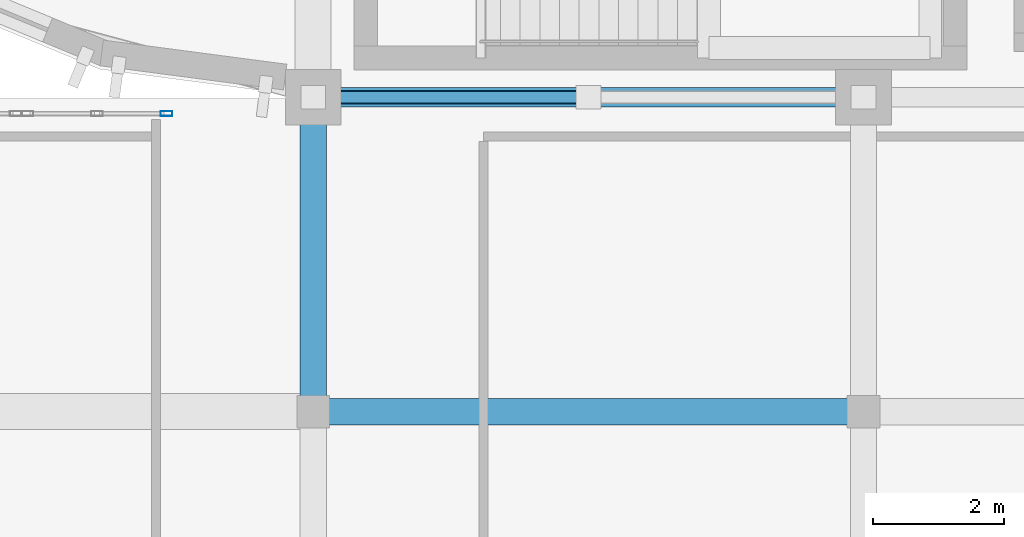
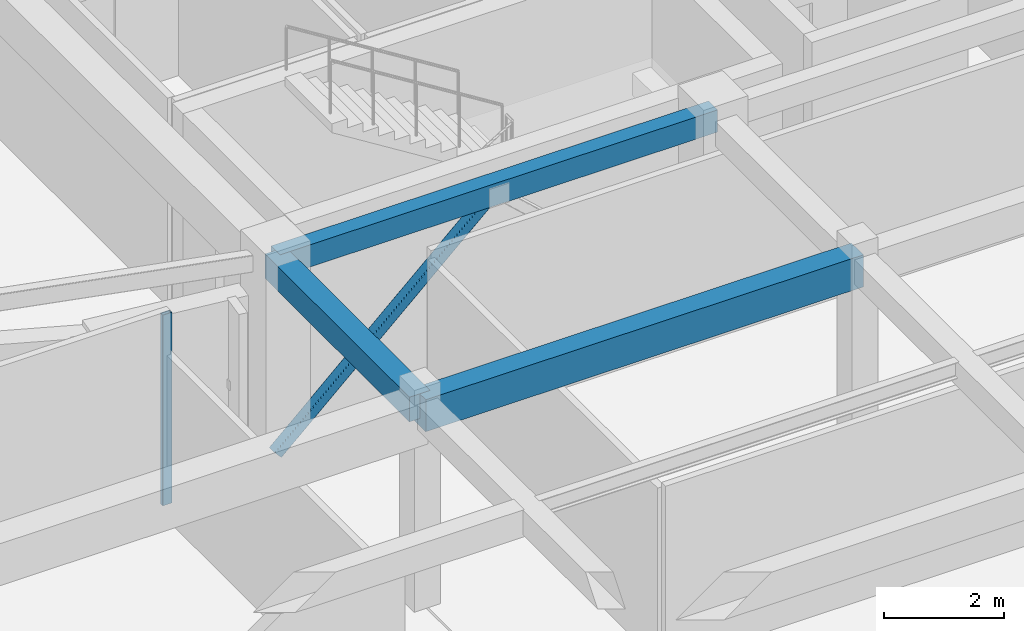
# One storey, part 30 of 92: 3 beams, 2 members, 1 element without a shape of its own.
"""IFC4 building model written with IfcOpenShell, lengths in metres."""

from ifc_helpers import new_model, si_unit, direction, frame, origin, origin_2d, place, context, subcontext, project, spatial, rectangle, hollow_rectangle, extrude, material, layer, layer_set, material_profile, profile_set, type_object, element, aggregate, save


model = new_model("IFC4")

# Units and contexts
model_context = context("Model", 3, precision=1e-05, world=origin(), true_north=direction((0.0, 1.0)))
body_context = subcontext(model_context, "Body", "Model", "MODEL_VIEW")
ifc_project = project(units=[si_unit("LENGTHUNIT", "METRE"), si_unit("AREAUNIT", "SQUARE_METRE"), si_unit("VOLUMEUNIT", "CUBIC_METRE"), si_unit("PLANEANGLEUNIT", "RADIAN"), si_unit("MASSUNIT", "GRAM", prefix="KILO")], contexts=[model_context])

# Site, building, storey
site_placement = place(None, origin())
site = spatial("IfcSite", under=ifc_project, at=site_placement, CompositionType="ELEMENT")
building_placement = place(site_placement, origin())
building = spatial("IfcBuilding", under=site, at=building_placement, Name="Tarnavel Promenade Courthouse", CompositionType="ELEMENT")
storey_placement = place(building_placement, frame((0.0, 0.0, 5.39990234375)))
storey = spatial("IfcBuildingStorey", under=building, at=storey_placement, Name="L02", CompositionType="ELEMENT", Elevation=5.39990234375)

# Beams
ifc_material_1 = material(Name="Concrete C40/50", Category="concrete")
ifc_material_profile_1 = material_profile(ifc_material_1, rectangle(XDim=0.39990234375, YDim=0.5, at=origin_2d()), Name="RC 400x500")
ifc_profile_set_1 = profile_set([ifc_material_profile_1], Name="Concrete C40/50")
beam_type_1 = type_object("IfcBeamType", Name="Concrete C40/50 BM-RC-400x500 (RC 400x500)", PredefinedType="BEAM", material=ifc_profile_set_1)
beam_1_placement = place(storey_placement, frame((58.800048828125, 74.39990234375, 3.945068359375), z_axis=(0.0, 1.0, 0.0), x_axis=(-1.0, 0.0, 0.0)))
element("IfcBeam", 1, at=beam_1_placement, inside=storey, type_object=beam_type_1, Name="L02 Transverse Girder 1279", PredefinedType="BEAM", context=body_context, shape_type="SweptSolid", body=[
    extrude(rectangle(XDim=0.39990234375, YDim=0.5, at=origin_2d()), origin(), (0.0, 0.0, 1.0), 4.800048828125),
])
ifc_material_profile_2 = material_profile(ifc_material_1, rectangle(XDim=0.39990234375, YDim=0.64990234375, at=origin_2d()), Name="RC 400x650")
ifc_profile_set_2 = profile_set([ifc_material_profile_2], Name="Concrete C40/50")
beam_type_2 = type_object("IfcBeamType", Name="Concrete C40/50 BM-RC-400x650 (RC 400x650)", PredefinedType="BEAM", material=ifc_profile_set_2)
beam_2_placement = place(storey_placement, frame((58.800048828125, 74.39990234375, 3.8701171875), z_axis=(1.0, 0.0, 0.0), x_axis=(0.0, 1.0, 0.0)))
element("IfcBeam", 2, at=beam_2_placement, inside=storey, type_object=beam_type_2, Name="L02 Primary Longitudinal Beam 1156", PredefinedType="BEAM", context=body_context, shape_type="SweptSolid", body=[
    extrude(rectangle(XDim=0.39990234375, YDim=0.64990234375, at=origin_2d()), origin(), (0.0, 0.0, 1.0), 8.39990234375),
])
ifc_material_profile_3 = material_profile(ifc_material_1, rectangle(XDim=0.300048828125, YDim=0.449951171875, at=origin_2d()), Name="RC 300x450")
ifc_profile_set_3 = profile_set([ifc_material_profile_3], Name="Concrete C40/50")
beam_type_3 = type_object("IfcBeamType", Name="Concrete C40/50 BM-SP-300x450 (RC 300x450)", PredefinedType="SPANDREL", material=ifc_profile_set_3)
beam_3_placement = place(storey_placement, frame((58.800048828125, 79.199951171875, 3.97021484375), z_axis=(1.0, 0.0, 0.0), x_axis=(0.0, 1.0, 0.0)))
element("IfcBeam", 3, at=beam_3_placement, inside=storey, type_object=beam_type_3, Name="L02 Primary Longitudinal Beam 1167", PredefinedType="SPANDREL", context=body_context, shape_type="SweptSolid", body=[
    extrude(rectangle(XDim=0.300048828125, YDim=0.449951171875, at=origin_2d()), origin(), (0.0, 0.0, 1.0), 8.39990234375),
])

# Member
ifc_material_2 = material(Name="Steel S355J2", Category="steel")
ifc_material_profile_4 = material_profile(ifc_material_2, hollow_rectangle(XDim=0.199951171875, YDim=0.199951171875, WallThickness=0.012451171875, InnerFilletRadius=0.012451171875, OuterFilletRadius=0.02490234375, at=origin_2d()), Name="SHS 200x200x12.5")
ifc_profile_set_4 = profile_set([ifc_material_profile_4], Name="Steel S355J2")
member_type_1 = type_object("IfcMemberType", Name="Steel S355J2 MEM-BR-SHS200 (SHS 200x200x12.5)", PredefinedType="BRACE", material=ifc_profile_set_4)
member_1_placement = place(storey_placement, frame((58.800048828125, 79.199951171875, 0.09521484375), z_axis=(0.737163033708, 0.0, 0.675714926381), x_axis=(0.0, 1.0, 0.0)))
element("IfcMember", 4, at=member_1_placement, inside=storey, type_object=member_type_1, Name="L02 V5 Chevron Brace A 003", PredefinedType="BRACE", context=body_context, shape_type="SweptSolid", body=[
    extrude(hollow_rectangle(XDim=0.199951171875, YDim=0.199951171875, WallThickness=0.012451171875, InnerFilletRadius=0.012451171875, OuterFilletRadius=0.02490234375, at=origin_2d()), origin(), (0.0, 0.0, 1.0), 5.697509765625),
])

# Curtain wall, member
ifc_material_3 = material(Name="Thermally Broken Anodised Aluminium Curtain Wall System", Category="aluminium")
ifc_layer = layer(ifc_material_3, 0.2099609375)
ifc_layer_set = layer_set([ifc_layer], Name="Thermally Broken Anodised Aluminium Curtain Wall System")
curtain_wall_type = type_object("IfcCurtainWallType", Name="Thermally Broken Aluminium Triple-Glazed Curtain Wall CW-WG-N", PredefinedType="NOTDEFINED", material=ifc_layer_set)
curtain_wall_placement = place(storey_placement, origin())
curtain_wall = element("IfcCurtainWall", 5, at=curtain_wall_placement, inside=storey, type_object=curtain_wall_type, Name="L02 Winter-Garden North Curtain Wall 110", PredefinedType="NOTDEFINED")
ifc_material_4 = material(Name="Thermally Broken Anodised Aluminium Frame", Category="aluminium")
ifc_material_profile_5 = material_profile(ifc_material_4, hollow_rectangle(XDim=0.080078125, YDim=0.179931640625, WallThickness=0.0048828125, InnerFilletRadius=0.0048828125, OuterFilletRadius=0.010009765625, at=origin_2d()), Name="CWM 180x80x5")
ifc_profile_set_5 = profile_set([ifc_material_profile_5], Name="Thermally Broken Anodised Aluminium Frame")
member_type_2 = type_object("IfcMemberType", Name="Thermally Broken Anodised Aluminium CWM-155 (CWM 180x80x5)", PredefinedType="MULLION", material=ifc_profile_set_5)
member_2_placement = place(storey_placement, frame((56.56005859375, 78.949951171875, 0.0), z_axis=(0.0, 0.0, 1.0), x_axis=(0.0, 1.0, 0.0)))
member_2 = element("IfcMember", 6, at=member_2_placement, type_object=member_type_2, Name="CW-03 mullion 3", PredefinedType="MULLION", context=body_context, shape_type="SweptSolid", body=[
    extrude(hollow_rectangle(XDim=0.080078125, YDim=0.179931640625, WallThickness=0.0048828125, InnerFilletRadius=0.0048828125, OuterFilletRadius=0.010009765625, at=origin_2d()), origin(), (0.0, 0.0, 1.0), 3.8701171875),
])
aggregate(curtain_wall, [member_2])

save(model, "model.ifc")
